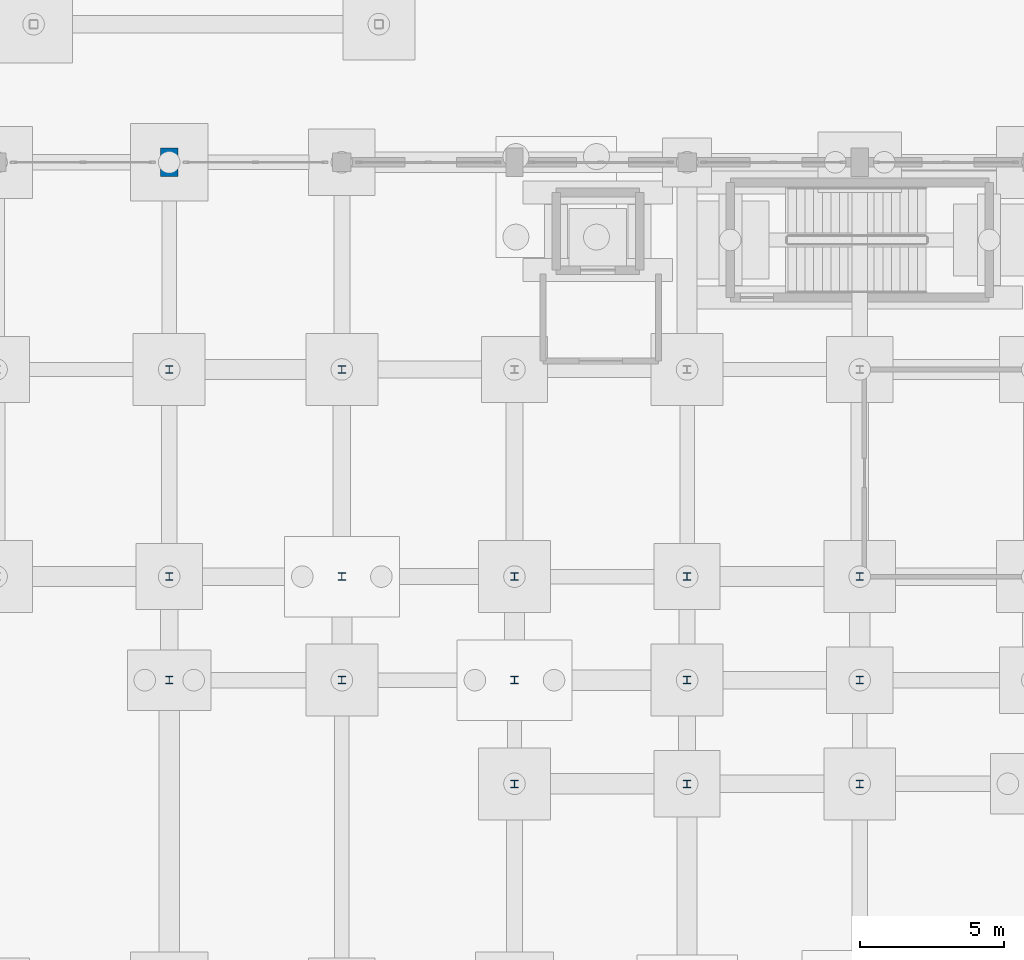
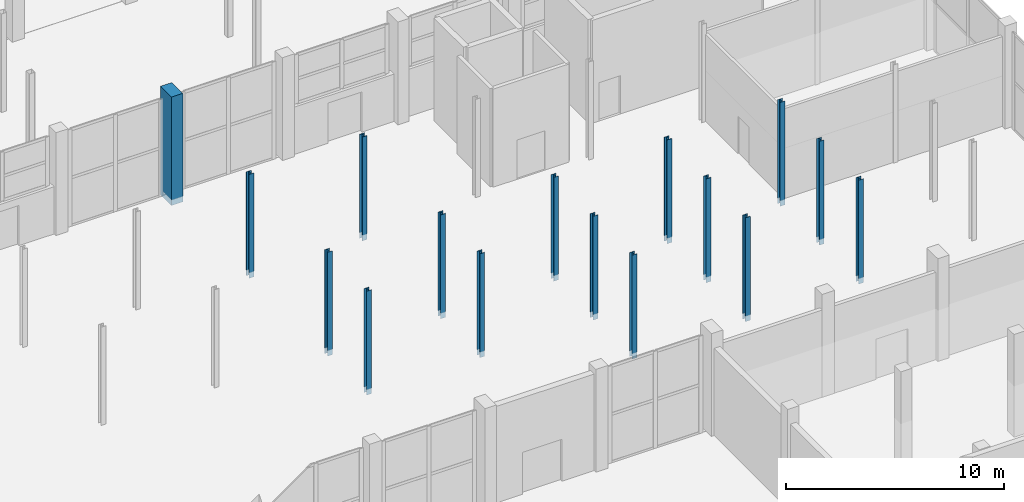
# One storey, part 32 of 103: 16 columns.
"""IFC4 building model written with IfcOpenShell, lengths in metres."""

import ifcopenshell
import ifcopenshell.guid

model = None  # the IFC model being written
_history = None  # IfcOwnerHistory: only IFC2X3 demands one
_inside = {}  # id of a spatial element -> (the spatial element, [elements in it])
_under = {}  # id of a project, library or spatial element -> (it, [spatial elements below it])
_declared = {}  # id of a project -> (the project, [libraries it declares])
_typed = {}  # id of a type object -> (the type object, [elements of that type])
_made_of = {}  # id of a material, layer set ... -> (it, [elements and type objects made of it])


def new_model(schema):
    """Start an empty IFC model of exactly this schema.

    Asked for "IFC4X3", IfcOpenShell would pick the latest addendum, in which some entities
    have other attributes; the version numbers below select the first issue.
    IFC2X3 requires an IfcOwnerHistory on every rooted entity: one is made here for all.
    """
    global model, _history
    if schema == "IFC4X3":
        model = ifcopenshell.file(schema_version=(4, 3, 0, 0))
    else:
        model = ifcopenshell.file(schema=schema)
    _inside.clear()
    _under.clear()
    _declared.clear()
    _typed.clear()
    _made_of.clear()
    _history = None
    if model.schema == "IFC2X3":
        org = make("IfcOrganization", Name="unknown")
        user = make(
            "IfcPersonAndOrganization",
            ThePerson=make("IfcPerson", FamilyName="unknown"),
            TheOrganization=org,
        )
        app = make(
            "IfcApplication",
            ApplicationDeveloper=org,
            Version="unknown",
            ApplicationFullName="unknown",
            ApplicationIdentifier="unknown",
        )
        _history = make(
            "IfcOwnerHistory",
            OwningUser=user,
            OwningApplication=app,
            ChangeAction="ADDED",
            CreationDate=0,
        )
    return model


def make(cls, **values):
    """One entity of the class cls with the attributes given. An attribute that is None is left unset."""
    return model.create_entity(
        cls, **{name: value for name, value in values.items() if value is not None}
    )


def rooted(cls, **values):
    """An entity with a GlobalId (a new one), such as an element, a storey or a relation."""
    return make(cls, GlobalId=ifcopenshell.guid.new(), OwnerHistory=_history, **values)


def si_unit(unit_type, name, prefix=None):
    """IfcSIUnit, for example si_unit("LENGTHUNIT", "METRE", prefix="MILLI")."""
    return make("IfcSIUnit", UnitType=unit_type, Prefix=prefix, Name=name)


def assignment(units):
    """IfcUnitAssignment: the units of a project."""
    return None if units is None else make("IfcUnitAssignment", Units=units)


def point(xyz):
    """IfcCartesianPoint."""
    return None if xyz is None else make("IfcCartesianPoint", Coordinates=xyz)


def direction(xyz):
    """IfcDirection."""
    return None if xyz is None else make("IfcDirection", DirectionRatios=xyz)


def frame(location, z_axis=None, x_axis=None):
    """IfcAxis2Placement3D, a coordinate frame: its origin and axes. An axis left out is left unset."""
    return make(
        "IfcAxis2Placement3D",
        Location=point(location),
        Axis=direction(z_axis),
        RefDirection=direction(x_axis),
    )


def frame_2d(location, x_axis=None):
    """IfcAxis2Placement2D, a coordinate frame in the plane: its origin and x axis."""
    return make(
        "IfcAxis2Placement2D", Location=point(location), RefDirection=direction(x_axis)
    )


def origin():
    """The frame at (0, 0, 0) with its axes left unset."""
    return frame((0.0, 0.0, 0.0))


def origin_2d():
    """The frame at (0, 0) in the plane with its x axis left unset."""
    return frame_2d((0.0, 0.0))


def place(relative_to, where):
    """IfcLocalPlacement: puts the frame where relative to a parent placement (None: the world)."""
    return make(
        "IfcLocalPlacement", PlacementRelTo=relative_to, RelativePlacement=where
    )


def context(
    kind, dimensions, precision=None, world=None, true_north=None, identifier=None
):
    """IfcGeometricRepresentationContext, for example the 3D "Model" context."""
    return make(
        "IfcGeometricRepresentationContext",
        ContextIdentifier=identifier,
        ContextType=kind,
        CoordinateSpaceDimension=dimensions,
        Precision=precision,
        WorldCoordinateSystem=world,
        TrueNorth=true_north,
    )


def subcontext(parent, identifier, kind, view, scale=None):
    """IfcGeometricRepresentationSubContext, for example "Body" below "Model"."""
    return make(
        "IfcGeometricRepresentationSubContext",
        ContextIdentifier=identifier,
        ContextType=kind,
        ParentContext=parent,
        TargetScale=scale,
        TargetView=view,
    )


def project(units=None, contexts=None):
    """IfcProject with its units and contexts."""
    return rooted(
        "IfcProject",
        Name="project",
        RepresentationContexts=contexts,
        UnitsInContext=assignment(units),
    )


def spatial(cls, under=None, at=None, **own):
    """A site, building, storey or space (cls), placed at a placement, below another one or the project."""
    s = rooted(cls, ObjectPlacement=at, **own)
    if under is not None:
        _under.setdefault(under.id(), (under, []))[1].append(s)
    return s


def profile(cls, at=None, kind="AREA", **sizes):
    """A parametric profile (cls). Its sizes go by their IFC names, for example OverallWidth=200.0."""
    return make(cls, ProfileType=kind, Position=at, **sizes)


def rectangle(**sizes):
    """IfcRectangleProfileDef."""
    return profile("IfcRectangleProfileDef", **sizes)


def i_section(**sizes):
    """IfcIShapeProfileDef."""
    return profile("IfcIShapeProfileDef", **sizes)


def extrude(swept, where, along, depth):
    """IfcExtrudedAreaSolid: the profile swept, set in the frame where, extruded along a direction by depth."""
    return make(
        "IfcExtrudedAreaSolid",
        SweptArea=swept,
        Position=where,
        ExtrudedDirection=direction(along),
        Depth=depth,
    )


def shape(context_of_items, identifier, shape_type, items):
    """IfcShapeRepresentation: the items that make up one representation, for example the "Body"."""
    return make(
        "IfcShapeRepresentation",
        ContextOfItems=context_of_items,
        RepresentationIdentifier=identifier,
        RepresentationType=shape_type,
        Items=items,
    )


def material(Name=None, Category=None):
    """IfcMaterial."""
    return make("IfcMaterial", Name=Name, Category=Category)


def material_profile(
    of_material, cross_section, Name=None, Category=None, Priority=None
):
    """IfcMaterialProfile: a cross section and its material."""
    return make(
        "IfcMaterialProfile",
        Name=Name,
        Material=of_material,
        Profile=cross_section,
        Priority=Priority,
        Category=Category,
    )


def profile_set(profiles, Name=None, composite=None):
    """IfcMaterialProfileSet."""
    return make(
        "IfcMaterialProfileSet",
        Name=Name,
        MaterialProfiles=profiles,
        CompositeProfile=composite,
    )


def made_of(thing, what):
    """Note that an element or type object is made of a material, layer set ...; save() writes the relation."""
    if what is not None:
        _made_of.setdefault(what.id(), (what, []))[1].append(thing)
    return thing


def type_object(cls, material=None, **own):
    """A type object (cls), such as IfcWallType, which elements share."""
    return made_of(rooted(cls, **own), material)


def element(
    cls,
    number,
    at=None,
    inside=None,
    cuts=None,
    type_object=None,
    material=None,
    context=None,
    identifier="Body",
    shape_type=None,
    held_by="IfcProductDefinitionShape",
    body=None,
    shapes=None,
    **own,
):
    """One element of the class cls, such as IfcWall. Its Tag is "e" and its number.

    at: its placement. inside: the storey or other place that contains it. cuts: it is an
    opening in that element (IfcRelVoidsElement). A single representation is given by context,
    identifier, shape_type and body (its items); several are given by shapes. held_by: the class
    of the entity that holds the representations. save() writes the other relations.
    """
    e = rooted(cls, Tag="e%d" % number, ObjectPlacement=at, **own)
    if body is not None:
        shapes = [shape(context, identifier, shape_type, body)]
    if shapes is not None:
        e.Representation = make(held_by, Representations=shapes)
    if inside is not None:
        _inside.setdefault(inside.id(), (inside, []))[1].append(e)
    if cuts is not None:
        rooted(
            "IfcRelVoidsElement", RelatingBuildingElement=cuts, RelatedOpeningElement=e
        )
    if type_object is not None:
        _typed.setdefault(type_object.id(), (type_object, []))[1].append(e)
    return made_of(e, material)


def aggregate(whole, parts):
    """IfcRelAggregates: a whole, such as a stair, and the parts it consists of."""
    return rooted("IfcRelAggregates", RelatingObject=whole, RelatedObjects=parts)


def save(model, path):
    """Write the relations noted so far, then the file.

    IfcRelAggregates (storeys below a building ...), IfcRelContainedInSpatialStructure (elements
    in a storey), IfcRelDefinesByType, IfcRelAssociatesMaterial and IfcRelDeclares: one each for
    every whole, place, type object, material and project.
    """
    for whole, parts in _under.values():
        aggregate(whole, parts)
    for where, things in _inside.values():
        rooted(
            "IfcRelContainedInSpatialStructure",
            RelatedElements=things,
            RelatingStructure=where,
        )
    for kind, things in _typed.values():
        rooted("IfcRelDefinesByType", RelatedObjects=things, RelatingType=kind)
    for what, things in _made_of.values():
        rooted("IfcRelAssociatesMaterial", RelatedObjects=things, RelatingMaterial=what)
    for by, libraries in _declared.values():
        rooted("IfcRelDeclares", RelatingContext=by, RelatedDefinitions=libraries)
    model.write(path)


model = new_model("IFC4")

# Units and contexts
model_context = context("Model", 3, precision=1e-05, world=origin(), true_north=direction((0.0, 1.0)))
body_context = subcontext(model_context, "Body", "Model", "MODEL_VIEW")
ifc_project = project(units=[si_unit("LENGTHUNIT", "METRE"), si_unit("AREAUNIT", "SQUARE_METRE"), si_unit("VOLUMEUNIT", "CUBIC_METRE"), si_unit("PLANEANGLEUNIT", "RADIAN"), si_unit("MASSUNIT", "GRAM", prefix="KILO")], contexts=[model_context])

# Site, building, storey
site_placement = place(None, origin())
site = spatial("IfcSite", under=ifc_project, at=site_placement, CompositionType="ELEMENT")
building_placement = place(site_placement, origin())
building = spatial("IfcBuilding", under=site, at=building_placement, Name="Dunvalen Ferry Terminal", CompositionType="ELEMENT")
storey_placement = place(building_placement, origin())
storey = spatial("IfcBuildingStorey", under=building, at=storey_placement, Name="L00", CompositionType="ELEMENT", Elevation=0.0)

# Columns
ifc_material_1 = material(Name="Concrete C40/50", Category="concrete")
ifc_material_profile_1 = material_profile(ifc_material_1, rectangle(XDim=0.60009765625, YDim=1.0, at=origin_2d()), Name="Concrete C40/50")
ifc_profile_set_1 = profile_set([ifc_material_profile_1], Name="Concrete C40/50")
column_type_1 = type_object("IfcColumnType", Name="STR-COL-PIER1000", PredefinedType="COLUMN", material=ifc_profile_set_1)
column_placement = place(storey_placement, frame((132.0, 86.39990234375, -0.320068359375), z_axis=(0.0, 0.0, 1.0), x_axis=(1.0, 0.0, 0.0)))
element("IfcColumn", 1, at=column_placement, inside=storey, type_object=column_type_1, Name="L00 Arrivals Hall Pier 16", PredefinedType="COLUMN", context=body_context, shape_type="SweptSolid", body=[
    extrude(rectangle(XDim=0.60009765625, YDim=1.0, at=origin_2d()), origin(), (0.0, 0.0, 1.0), 6.080078125),
])
ifc_material_2 = material(Name="Steel S355", Category="steel")
ifc_material_profile_2 = material_profile(ifc_material_2, i_section(OverallWidth=0.25634765625, OverallDepth=0.26025390625, WebThickness=0.01025390625, FlangeThickness=0.017333984375, FilletRadius=0.0126953125, at=origin_2d()), Name="Steel S355")
ifc_profile_set_2 = profile_set([ifc_material_profile_2], Name="Steel S355")
column_type_2 = type_object("IfcColumnType", Name="STR-COL-UKC254", PredefinedType="COLUMN", material=ifc_profile_set_2)
for number, where, z_axis, x_axis, name in (
    (2, (132.0, 68.39990234375, -0.320068359375), (0.0, 0.0, 1.0), (1.0, 0.0, 0.0), "L00 Immigration Mezzanine Column 132-68"),
    (3, (132.0, 72.0, -0.320068359375), (0.0, 0.0, 1.0), (1.0, 0.0, 0.0), "L00 Immigration Mezzanine Column 132-72"),
    (4, (132.0, 79.199951171875, -0.320068359375), (0.0, 0.0, 1.0), (1.0, 0.0, 0.0), "L00 Immigration Mezzanine Column 132-79"),
    (5, (138.0, 68.39990234375, -0.320068359375), (0.0, 0.0, 1.0), (1.0, 0.0, 0.0), "L00 Immigration Mezzanine Column 138-68"),
    (6, (138.0, 72.0, -0.320068359375), (0.0, 0.0, 1.0), (1.0, 0.0, 0.0), "L00 Immigration Mezzanine Column 138-72"),
    (7, (138.0, 79.199951171875, -0.320068359375), (0.0, 0.0, 1.0), (1.0, 0.0, 0.0), "L00 Immigration Mezzanine Column 138-79"),
    (8, (144.0, 64.800048828125, -0.320068359375), (0.0, 0.0, 1.0), (1.0, 0.0, 0.0), "L00 Immigration Mezzanine Column 144-64"),
    (9, (144.0, 68.39990234375, -0.320068359375), (0.0, 0.0, 1.0), (1.0, 0.0, 0.0), "L00 Immigration Mezzanine Column 144-68"),
    (10, (144.0, 72.0, -0.320068359375), (0.0, 0.0, 1.0), (1.0, 0.0, 0.0), "L00 Immigration Mezzanine Column 144-72"),
    (11, (150.0, 64.800048828125, -0.320068359375), (0.0, 0.0, 1.0), (1.0, 0.0, 0.0), "L00 Immigration Mezzanine Column 150-64"),
    (12, (150.0, 68.39990234375, -0.320068359375), (0.0, 0.0, 1.0), (1.0, 0.0, 0.0), "L00 Immigration Mezzanine Column 150-68"),
    (13, (150.0, 72.0, -0.320068359375), (0.0, 0.0, 1.0), (1.0, 0.0, 0.0), "L00 Immigration Mezzanine Column 150-72"),
    (14, (156.0, 64.800048828125, -0.320068359375), (0.0, 0.0, 1.0), (1.0, 0.0, 0.0), "L00 Immigration Mezzanine Column 156-64"),
    (15, (156.0, 68.39990234375, -0.320068359375), (0.0, 0.0, 1.0), (1.0, 0.0, 0.0), "L00 Immigration Mezzanine Column 156-68"),
    (16, (156.0, 72.0, -0.320068359375), (0.0, 0.0, 1.0), (1.0, 0.0, 0.0), "L00 Immigration Mezzanine Column 156-72"),
):
    element("IfcColumn", number, at=place(storey_placement, frame(where, z_axis=z_axis, x_axis=x_axis)), inside=storey, type_object=column_type_2, Name=name, PredefinedType="COLUMN", context=body_context, shape_type="SweptSolid", body=[
        extrude(i_section(OverallWidth=0.25634765625, OverallDepth=0.26025390625, WebThickness=0.01025390625, FlangeThickness=0.017333984375, FilletRadius=0.0126953125, at=origin_2d()), origin(), (0.0, 0.0, 1.0), 5.820068359375),
    ])

save(model, "model.ifc")
